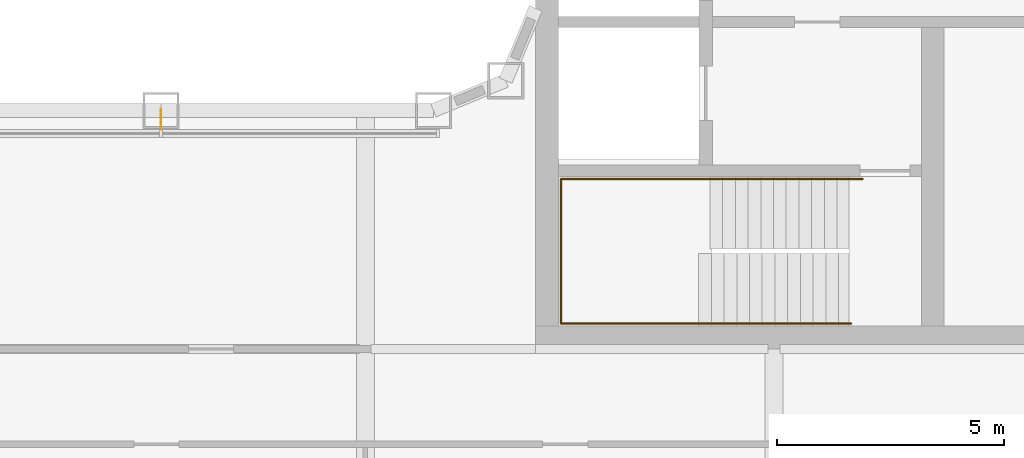
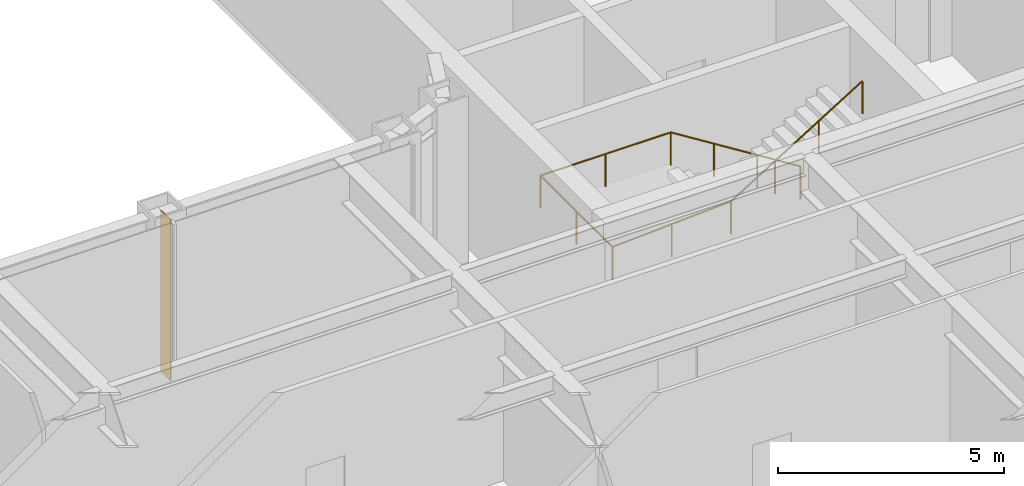
# One storey, part 21 of 24: 1 railing, 1 shading device.
"""IFC4 building model written with IfcOpenShell, lengths in metres."""

from ifc_helpers import new_model, si_unit, direction, frame, origin, origin_2d, place, context, subcontext, project, spatial, rectangle, circle, extrude, material, layer, layer_set, type_object, element, save


model = new_model("IFC4")

# Units and contexts
model_context = context("Model", 3, precision=1e-05, world=origin(), true_north=direction((0.0, 1.0)))
body_context = subcontext(model_context, "Body", "Model", "MODEL_VIEW")
ifc_project = project(units=[si_unit("LENGTHUNIT", "METRE"), si_unit("AREAUNIT", "SQUARE_METRE"), si_unit("VOLUMEUNIT", "CUBIC_METRE"), si_unit("PLANEANGLEUNIT", "RADIAN"), si_unit("MASSUNIT", "GRAM", prefix="KILO")], contexts=[model_context])

# Site, building, storey
site_placement = place(None, origin())
site = spatial("IfcSite", under=ifc_project, at=site_placement, CompositionType="ELEMENT")
building_placement = place(site_placement, origin())
building = spatial("IfcBuilding", under=site, at=building_placement, Name="Siwar Civic Tower", CompositionType="ELEMENT")
storey_placement = place(building_placement, frame((0.0, 0.0, 22.199951171875)))
storey = spatial("IfcBuildingStorey", under=building, at=storey_placement, Name="L04", CompositionType="ELEMENT", Elevation=22.199951171875)

# Railing
ifc_material_1 = material(Name="Stainless steel", Category="steel")
railing_type = type_object("IfcRailingType", Name="CORE-STAIR-HANDRAIL", PredefinedType="HANDRAIL", material=ifc_material_1)
railing_placement = place(storey_placement, frame((15.449951171875, -9.758056640625, 0.173095703125)))
element("IfcRailing", 1, at=railing_placement, inside=storey, type_object=railing_type, Name="Stair handrail ST4", PredefinedType="HANDRAIL", context=body_context, shape_type="SweptSolid", body=[
    extrude(circle(Radius=0.02001953125, at=origin_2d()), frame((0.0, 0.0, 0.8798828125), z_axis=(-0.847063342986, 0.0, 0.531491950051), x_axis=(0.0, -1.0, 0.0)), (0.0, 0.0, 1.0), 3.90771484375),
    extrude(circle(Radius=0.02001953125, at=origin_2d()), frame((-3.31005859375, 0.0, 2.956787109375), z_axis=(-1.0, 0.0, 0.0), x_axis=(0.0, -1.0, 0.0)), (0.0, 0.0, 1.0), 3.331787109375),
    extrude(circle(Radius=0.02001953125, at=origin_2d()), frame((-6.641845703125, 0.0, 2.956787109375), z_axis=(0.0, -1.0, 0.0), x_axis=(1.0, 0.0, 0.0)), (0.0, 0.0, 1.0), 3.183837890625),
    extrude(circle(Radius=0.02001953125, at=origin_2d()), frame((-6.641845703125, -3.183837890625, 2.956787109375), z_axis=(0.99837434197, 0.0, 0.056997134106), x_axis=(0.0, 1.0, 0.0)), (0.0, 0.0, 1.0), 3.036865234375),
    extrude(circle(Radius=0.02001953125, at=origin_2d()), frame((-3.60986328125, -3.183837890625, 3.1298828125), z_axis=(0.850606129759, 0.0, 0.525803396734), x_axis=(0.0, 1.0, 0.0)), (0.0, 0.0, 1.0), 3.949951171875),
    extrude(circle(Radius=0.02001953125, at=origin_2d()), origin(), (0.0, 0.0, 1.0), 0.85986328125),
    extrude(circle(Radius=0.02001953125, at=origin_2d()), frame((-1.103271484375, 0.0, 0.6923828125)), (0.0, 0.0, 1.0), 0.85986328125),
    extrude(circle(Radius=0.02001953125, at=origin_2d()), frame((-2.206787109375, 0.0, 1.384521484375)), (0.0, 0.0, 1.0), 0.85986328125),
    extrude(circle(Radius=0.02001953125, at=origin_2d()), frame((-3.31005859375, 0.0, 2.076904296875)), (0.0, 0.0, 1.0), 0.85986328125),
    extrude(circle(Radius=0.02001953125, at=origin_2d()), frame((-4.97607421875, 0.0, 2.076904296875)), (0.0, 0.0, 1.0), 0.85986328125),
    extrude(circle(Radius=0.02001953125, at=origin_2d()), frame((-6.641845703125, 0.0, 2.076904296875)), (0.0, 0.0, 1.0), 0.85986328125),
    extrude(circle(Radius=0.02001953125, at=origin_2d()), frame((-6.641845703125, -1.591796875, 2.076904296875)), (0.0, 0.0, 1.0), 0.85986328125),
    extrude(circle(Radius=0.02001953125, at=origin_2d()), frame((-6.641845703125, -3.183837890625, 2.076904296875)), (0.0, 0.0, 1.0), 0.85986328125),
    extrude(circle(Radius=0.02001953125, at=origin_2d()), frame((-5.1259765625, -3.183837890625, 2.16357421875)), (0.0, 0.0, 1.0), 0.85986328125),
    extrude(circle(Radius=0.02001953125, at=origin_2d()), frame((-3.60986328125, -3.183837890625, 2.25)), (0.0, 0.0, 1.0), 0.85986328125),
    extrude(circle(Radius=0.02001953125, at=origin_2d()), frame((-2.489990234375, -3.183837890625, 2.9423828125)), (0.0, 0.0, 1.0), 0.85986328125),
    extrude(circle(Radius=0.02001953125, at=origin_2d()), frame((-1.369873046875, -3.183837890625, 3.634521484375)), (0.0, 0.0, 1.0), 0.85986328125),
    extrude(circle(Radius=0.02001953125, at=origin_2d()), frame((-0.25, -3.183837890625, 4.326904296875)), (0.0, 0.0, 1.0), 0.85986328125),
])

# Shading device
ifc_material_2 = material(Name="Aluminium 6063-T6", Category="aluminium")
ifc_layer = layer(ifc_material_2, 0.02001953125)
ifc_layer_set = layer_set([ifc_layer], Name="Aluminium 6063-T6")
shading_device_type = type_object("IfcShadingDeviceType", Name="ENV-FIN", PredefinedType="JALOUSIE", material=ifc_layer_set)
shading_device_placement = place(storey_placement, frame((0.0, -8.445068359375, 0.0), z_axis=(0.0, 0.0, 1.0), x_axis=(1.0, 0.0, 0.0)))
element("IfcShadingDevice", 2, at=shading_device_placement, inside=storey, type_object=shading_device_type, Name="SUNSHADE fin WS 1", PredefinedType="JALOUSIE", context=body_context, shape_type="SweptSolid", body=[
    extrude(rectangle(XDim=0.02001953125, YDim=0.449951171875, at=origin_2d()), origin(), (0.0, 0.0, 1.0), 4.35009765625),
])

save(model, "model.ifc")
